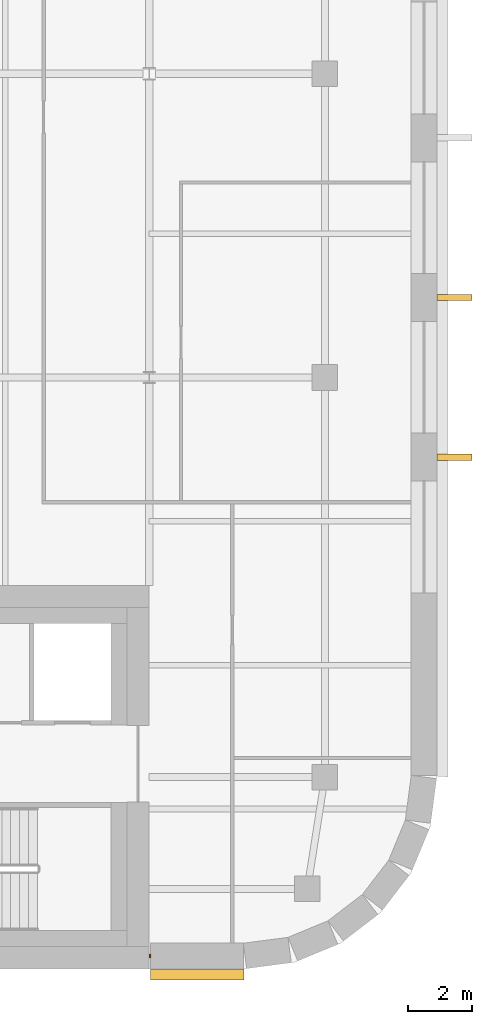
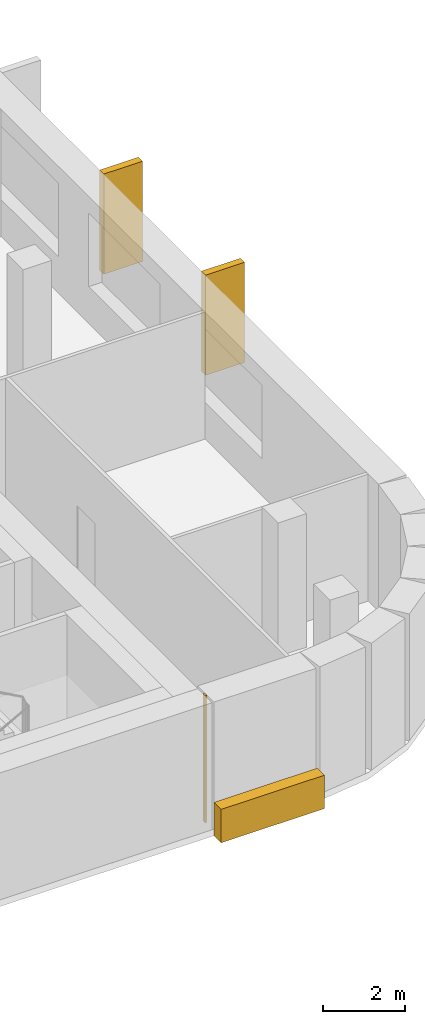
# One storey, part 16 of 17: 4 coverings.
"""IFC4 building model written with IfcOpenShell, lengths in metres."""

from ifc_helpers import new_model, si_unit, direction, frame, origin, origin_2d, place, context, subcontext, project, spatial, polyline, rectangle, outline, extrude, material, layer, layer_set, type_object, element, save


model = new_model("IFC4")

# Units and contexts
model_context = context("Model", 3, precision=1e-05, world=origin(), true_north=direction((0.0, 1.0)))
body_context = subcontext(model_context, "Body", "Model", "MODEL_VIEW")
ifc_project = project(units=[si_unit("LENGTHUNIT", "METRE"), si_unit("AREAUNIT", "SQUARE_METRE"), si_unit("VOLUMEUNIT", "CUBIC_METRE"), si_unit("PLANEANGLEUNIT", "RADIAN"), si_unit("MASSUNIT", "GRAM", prefix="KILO")], contexts=[model_context])

# Site, building, storey
site_placement = place(None, origin())
site = spatial("IfcSite", under=ifc_project, at=site_placement, CompositionType="ELEMENT")
building_placement = place(site_placement, origin())
building = spatial("IfcBuilding", under=site, at=building_placement, Name="Zellij Exchange Tower", CompositionType="ELEMENT")
storey_placement = place(building_placement, frame((0.0, 0.0, 224.5)))
storey = spatial("IfcBuildingStorey", under=building, at=storey_placement, Name="L52", CompositionType="ELEMENT", Elevation=224.5)

# Coverings
ifc_material = material(Name="Limestone cladding", Category="masonry")
ifc_layer_1 = layer(ifc_material, 0.35009765625)
ifc_layer_set_1 = layer_set([ifc_layer_1], Name="Limestone cladding")
covering_type_1 = type_object("IfcCoveringType", Name="ENV-CV10 Stone spandrel band 350", PredefinedType="CLADDING", material=ifc_layer_set_1)
covering_1_placement = place(storey_placement, frame((0.0, 0.0, -0.199951171875)))
element("IfcCovering", 1, at=covering_1_placement, inside=storey, type_object=covering_type_1, Name="Stone spandrel band", PredefinedType="CLADDING", context=body_context, shape_type="SweptSolid", body=[
    extrude(outline(polyline([(27.050048828125, -14.0), (29.973876953125, -14.0), (29.973876953125, -14.35009765625), (27.050048828125, -14.35009765625), (27.050048828125, -14.0)])), origin(), (0.0, 0.0, 1.0), 1.0),
])
ifc_layer_2 = layer(ifc_material, 0.1201171875)
ifc_layer_set_2 = layer_set([ifc_layer_2], Name="Limestone cladding")
covering_type_2 = type_object("IfcCoveringType", Name="ENV-CV18 Glazing closer 120", PredefinedType="CLADDING", material=ifc_layer_set_2)
covering_2_placement = place(storey_placement, frame((27.02490234375, -13.60009765625, 0.0), z_axis=(0.0, 0.0, 1.0), x_axis=(-1.0, 0.0, 0.0)))
element("IfcCovering", 2, at=covering_2_placement, inside=storey, type_object=covering_type_2, Name="Glazing closer", PredefinedType="CLADDING", context=body_context, shape_type="SweptSolid", body=[
    extrude(rectangle(XDim=0.050048828125, YDim=0.1201171875, at=origin_2d()), origin(), (0.0, 0.0, 1.0), 3.800048828125),
])
covering_type_3 = type_object("IfcCoveringType", Name="ENV-CV6 Stone pier 200x1100", PredefinedType="CLADDING", material=ifc_material)
covering_3_placement = place(storey_placement, frame((0.0, 0.0, 0.800048828125)))
element("IfcCovering", 3, at=covering_3_placement, inside=storey, type_object=covering_type_3, Name="Stone pier", PredefinedType="CLADDING", context=body_context, shape_type="SweptSolid", body=[
    extrude(outline(polyline([(36.0, 1.9111328125), (36.0, 2.111083984375), (37.10009765625, 2.111083984375), (37.10009765625, 1.9111328125), (36.0, 1.9111328125)])), origin(), (0.0, 0.0, 1.0), 3.0),
])
covering_4_placement = place(storey_placement, frame((0.0, 0.0, 0.800048828125)))
element("IfcCovering", 4, at=covering_4_placement, inside=storey, type_object=covering_type_3, Name="Stone pier", PredefinedType="CLADDING", context=body_context, shape_type="SweptSolid", body=[
    extrude(outline(polyline([(36.0, 6.90380859375), (36.0, 7.103759765625), (37.10009765625, 7.103759765625), (37.10009765625, 6.90380859375), (36.0, 6.90380859375)])), origin(), (0.0, 0.0, 1.0), 3.0),
])

save(model, "model.ifc")
